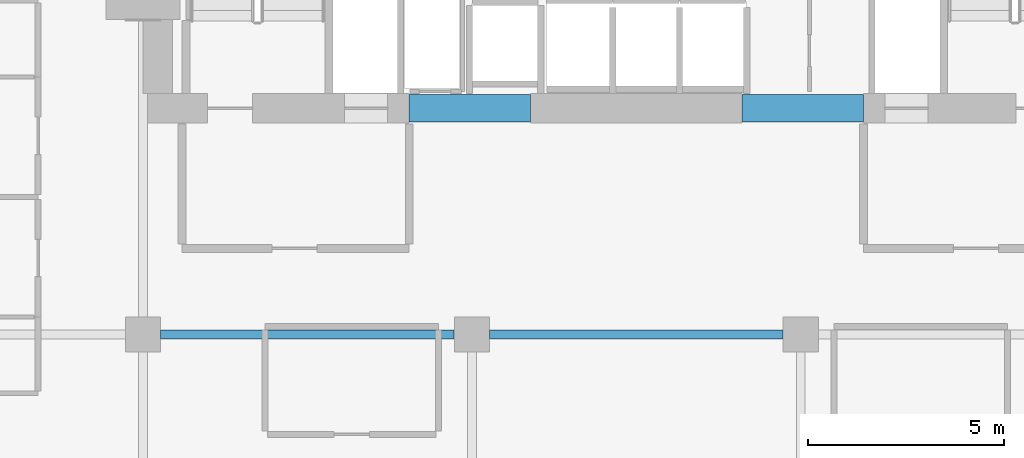
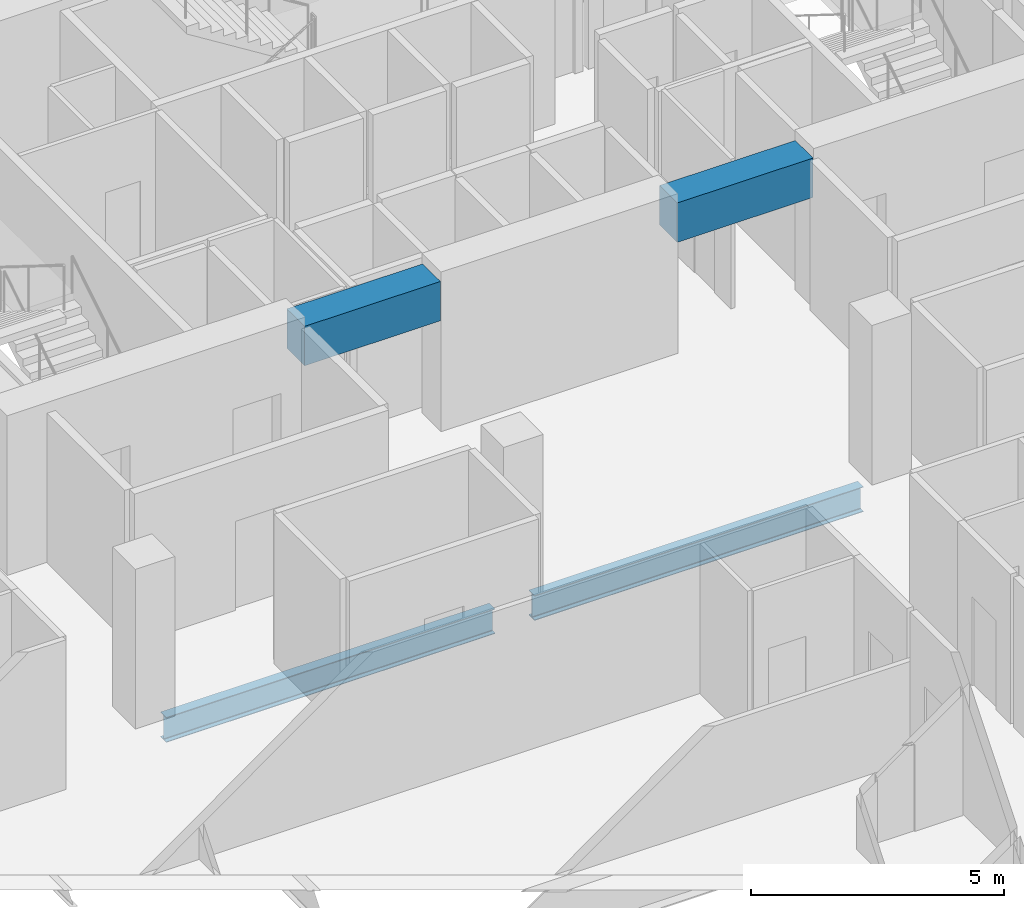
# One storey, part 21 of 34: 4 beams.
"""IFC4 building model written with IfcOpenShell, lengths in metres."""

import ifcopenshell
import ifcopenshell.guid

model = None  # the IFC model being written
_history = None  # IfcOwnerHistory: only IFC2X3 demands one
_inside = {}  # id of a spatial element -> (the spatial element, [elements in it])
_under = {}  # id of a project, library or spatial element -> (it, [spatial elements below it])
_declared = {}  # id of a project -> (the project, [libraries it declares])
_typed = {}  # id of a type object -> (the type object, [elements of that type])
_made_of = {}  # id of a material, layer set ... -> (it, [elements and type objects made of it])


def new_model(schema):
    """Start an empty IFC model of exactly this schema.

    Asked for "IFC4X3", IfcOpenShell would pick the latest addendum, in which some entities
    have other attributes; the version numbers below select the first issue.
    IFC2X3 requires an IfcOwnerHistory on every rooted entity: one is made here for all.
    """
    global model, _history
    if schema == "IFC4X3":
        model = ifcopenshell.file(schema_version=(4, 3, 0, 0))
    else:
        model = ifcopenshell.file(schema=schema)
    _inside.clear()
    _under.clear()
    _declared.clear()
    _typed.clear()
    _made_of.clear()
    _history = None
    if model.schema == "IFC2X3":
        org = make("IfcOrganization", Name="unknown")
        user = make(
            "IfcPersonAndOrganization",
            ThePerson=make("IfcPerson", FamilyName="unknown"),
            TheOrganization=org,
        )
        app = make(
            "IfcApplication",
            ApplicationDeveloper=org,
            Version="unknown",
            ApplicationFullName="unknown",
            ApplicationIdentifier="unknown",
        )
        _history = make(
            "IfcOwnerHistory",
            OwningUser=user,
            OwningApplication=app,
            ChangeAction="ADDED",
            CreationDate=0,
        )
    return model


def make(cls, **values):
    """One entity of the class cls with the attributes given. An attribute that is None is left unset."""
    return model.create_entity(
        cls, **{name: value for name, value in values.items() if value is not None}
    )


def rooted(cls, **values):
    """An entity with a GlobalId (a new one), such as an element, a storey or a relation."""
    return make(cls, GlobalId=ifcopenshell.guid.new(), OwnerHistory=_history, **values)


def si_unit(unit_type, name, prefix=None):
    """IfcSIUnit, for example si_unit("LENGTHUNIT", "METRE", prefix="MILLI")."""
    return make("IfcSIUnit", UnitType=unit_type, Prefix=prefix, Name=name)


def assignment(units):
    """IfcUnitAssignment: the units of a project."""
    return None if units is None else make("IfcUnitAssignment", Units=units)


def point(xyz):
    """IfcCartesianPoint."""
    return None if xyz is None else make("IfcCartesianPoint", Coordinates=xyz)


def direction(xyz):
    """IfcDirection."""
    return None if xyz is None else make("IfcDirection", DirectionRatios=xyz)


def frame(location, z_axis=None, x_axis=None):
    """IfcAxis2Placement3D, a coordinate frame: its origin and axes. An axis left out is left unset."""
    return make(
        "IfcAxis2Placement3D",
        Location=point(location),
        Axis=direction(z_axis),
        RefDirection=direction(x_axis),
    )


def frame_2d(location, x_axis=None):
    """IfcAxis2Placement2D, a coordinate frame in the plane: its origin and x axis."""
    return make(
        "IfcAxis2Placement2D", Location=point(location), RefDirection=direction(x_axis)
    )


def origin():
    """The frame at (0, 0, 0) with its axes left unset."""
    return frame((0.0, 0.0, 0.0))


def origin_2d():
    """The frame at (0, 0) in the plane with its x axis left unset."""
    return frame_2d((0.0, 0.0))


def place(relative_to, where):
    """IfcLocalPlacement: puts the frame where relative to a parent placement (None: the world)."""
    return make(
        "IfcLocalPlacement", PlacementRelTo=relative_to, RelativePlacement=where
    )


def context(
    kind, dimensions, precision=None, world=None, true_north=None, identifier=None
):
    """IfcGeometricRepresentationContext, for example the 3D "Model" context."""
    return make(
        "IfcGeometricRepresentationContext",
        ContextIdentifier=identifier,
        ContextType=kind,
        CoordinateSpaceDimension=dimensions,
        Precision=precision,
        WorldCoordinateSystem=world,
        TrueNorth=true_north,
    )


def subcontext(parent, identifier, kind, view, scale=None):
    """IfcGeometricRepresentationSubContext, for example "Body" below "Model"."""
    return make(
        "IfcGeometricRepresentationSubContext",
        ContextIdentifier=identifier,
        ContextType=kind,
        ParentContext=parent,
        TargetScale=scale,
        TargetView=view,
    )


def project(units=None, contexts=None):
    """IfcProject with its units and contexts."""
    return rooted(
        "IfcProject",
        Name="project",
        RepresentationContexts=contexts,
        UnitsInContext=assignment(units),
    )


def spatial(cls, under=None, at=None, **own):
    """A site, building, storey or space (cls), placed at a placement, below another one or the project."""
    s = rooted(cls, ObjectPlacement=at, **own)
    if under is not None:
        _under.setdefault(under.id(), (under, []))[1].append(s)
    return s


def profile(cls, at=None, kind="AREA", **sizes):
    """A parametric profile (cls). Its sizes go by their IFC names, for example OverallWidth=200.0."""
    return make(cls, ProfileType=kind, Position=at, **sizes)


def rectangle(**sizes):
    """IfcRectangleProfileDef."""
    return profile("IfcRectangleProfileDef", **sizes)


def i_section(**sizes):
    """IfcIShapeProfileDef."""
    return profile("IfcIShapeProfileDef", **sizes)


def extrude(swept, where, along, depth):
    """IfcExtrudedAreaSolid: the profile swept, set in the frame where, extruded along a direction by depth."""
    return make(
        "IfcExtrudedAreaSolid",
        SweptArea=swept,
        Position=where,
        ExtrudedDirection=direction(along),
        Depth=depth,
    )


def shape(context_of_items, identifier, shape_type, items):
    """IfcShapeRepresentation: the items that make up one representation, for example the "Body"."""
    return make(
        "IfcShapeRepresentation",
        ContextOfItems=context_of_items,
        RepresentationIdentifier=identifier,
        RepresentationType=shape_type,
        Items=items,
    )


def material(Name=None, Category=None):
    """IfcMaterial."""
    return make("IfcMaterial", Name=Name, Category=Category)


def material_profile(
    of_material, cross_section, Name=None, Category=None, Priority=None
):
    """IfcMaterialProfile: a cross section and its material."""
    return make(
        "IfcMaterialProfile",
        Name=Name,
        Material=of_material,
        Profile=cross_section,
        Priority=Priority,
        Category=Category,
    )


def profile_set(profiles, Name=None, composite=None):
    """IfcMaterialProfileSet."""
    return make(
        "IfcMaterialProfileSet",
        Name=Name,
        MaterialProfiles=profiles,
        CompositeProfile=composite,
    )


def made_of(thing, what):
    """Note that an element or type object is made of a material, layer set ...; save() writes the relation."""
    if what is not None:
        _made_of.setdefault(what.id(), (what, []))[1].append(thing)
    return thing


def type_object(cls, material=None, **own):
    """A type object (cls), such as IfcWallType, which elements share."""
    return made_of(rooted(cls, **own), material)


def element(
    cls,
    number,
    at=None,
    inside=None,
    cuts=None,
    type_object=None,
    material=None,
    context=None,
    identifier="Body",
    shape_type=None,
    held_by="IfcProductDefinitionShape",
    body=None,
    shapes=None,
    **own,
):
    """One element of the class cls, such as IfcWall. Its Tag is "e" and its number.

    at: its placement. inside: the storey or other place that contains it. cuts: it is an
    opening in that element (IfcRelVoidsElement). A single representation is given by context,
    identifier, shape_type and body (its items); several are given by shapes. held_by: the class
    of the entity that holds the representations. save() writes the other relations.
    """
    e = rooted(cls, Tag="e%d" % number, ObjectPlacement=at, **own)
    if body is not None:
        shapes = [shape(context, identifier, shape_type, body)]
    if shapes is not None:
        e.Representation = make(held_by, Representations=shapes)
    if inside is not None:
        _inside.setdefault(inside.id(), (inside, []))[1].append(e)
    if cuts is not None:
        rooted(
            "IfcRelVoidsElement", RelatingBuildingElement=cuts, RelatedOpeningElement=e
        )
    if type_object is not None:
        _typed.setdefault(type_object.id(), (type_object, []))[1].append(e)
    return made_of(e, material)


def aggregate(whole, parts):
    """IfcRelAggregates: a whole, such as a stair, and the parts it consists of."""
    return rooted("IfcRelAggregates", RelatingObject=whole, RelatedObjects=parts)


def save(model, path):
    """Write the relations noted so far, then the file.

    IfcRelAggregates (storeys below a building ...), IfcRelContainedInSpatialStructure (elements
    in a storey), IfcRelDefinesByType, IfcRelAssociatesMaterial and IfcRelDeclares: one each for
    every whole, place, type object, material and project.
    """
    for whole, parts in _under.values():
        aggregate(whole, parts)
    for where, things in _inside.values():
        rooted(
            "IfcRelContainedInSpatialStructure",
            RelatedElements=things,
            RelatingStructure=where,
        )
    for kind, things in _typed.values():
        rooted("IfcRelDefinesByType", RelatedObjects=things, RelatingType=kind)
    for what, things in _made_of.values():
        rooted("IfcRelAssociatesMaterial", RelatedObjects=things, RelatingMaterial=what)
    for by, libraries in _declared.values():
        rooted("IfcRelDeclares", RelatingContext=by, RelatedDefinitions=libraries)
    model.write(path)


model = new_model("IFC4")

# Units and contexts
model_context = context("Model", 3, precision=1e-05, world=origin(), true_north=direction((0.0, 1.0)))
body_context = subcontext(model_context, "Body", "Model", "MODEL_VIEW")
ifc_project = project(units=[si_unit("LENGTHUNIT", "METRE"), si_unit("AREAUNIT", "SQUARE_METRE"), si_unit("VOLUMEUNIT", "CUBIC_METRE"), si_unit("PLANEANGLEUNIT", "RADIAN"), si_unit("MASSUNIT", "GRAM", prefix="KILO")], contexts=[model_context])

# Site, building, storey
site_placement = place(None, origin())
site = spatial("IfcSite", under=ifc_project, at=site_placement, CompositionType="ELEMENT")
building_placement = place(site_placement, origin())
building = spatial("IfcBuilding", under=site, at=building_placement, Name="Maruvema Waterfront Hotel and Observation Tower", CompositionType="ELEMENT")
storey_placement = place(building_placement, frame((0.0, 0.0, 177.449951171875)))
storey = spatial("IfcBuildingStorey", under=building, at=storey_placement, Name="L43", CompositionType="ELEMENT", Elevation=177.449951171875)

# Beams
ifc_material_1 = material(Name="Concrete C60/75", Category="concrete")
ifc_material_profile_1 = material_profile(ifc_material_1, rectangle(XDim=0.699951171875, YDim=0.949951171875, at=origin_2d()), Name="CB700x950")
ifc_profile_set_1 = profile_set([ifc_material_profile_1], Name="Concrete C60/75")
beam_type_1 = type_object("IfcBeamType", Name="Core Coupling Lintel Beam CB700x950", PredefinedType="LINTEL", material=ifc_profile_set_1)
for number, where, z_axis, x_axis, name in (
    (1, (32.0, 41.77490234375, 3.135009765625), (1.0, 0.0, 0.0), (0.0, 1.0, 0.0), "L43 Core Coupling Lintel Beam West"),
    (2, (40.5, 41.77490234375, 3.135009765625), (1.0, 0.0, 0.0), (0.0, 1.0, 0.0), "L43 Core Coupling Lintel Beam East"),
):
    element("IfcBeam", number, at=place(storey_placement, frame(where, z_axis=z_axis, x_axis=x_axis)), inside=storey, type_object=beam_type_1, Name=name, PredefinedType="LINTEL", context=body_context, shape_type="SweptSolid", body=[
        extrude(rectangle(XDim=0.699951171875, YDim=0.949951171875, at=origin_2d()), origin(), (0.0, 0.0, 1.0), 3.10009765625),
    ])
ifc_material_2 = material(Name="Steel ASTM A572 Grade 50", Category="steel")
ifc_material_profile_2 = material_profile(ifc_material_2, i_section(OverallWidth=0.22802734375, OverallDepth=0.60302734375, WebThickness=0.010498046875, FlangeThickness=0.014892578125, FilletRadius=0.01806640625, at=origin_2d()), Name="W610x101.0")
ifc_profile_set_2 = profile_set([ifc_material_profile_2], Name="Steel ASTM A572 Grade 50")
beam_type_2 = type_object("IfcBeamType", Name="Primary Floor Girder W610x101.0", PredefinedType="BEAM", material=ifc_profile_set_2)
for number, where, z_axis, x_axis, name in (
    (3, (25.64990234375, 36.0, -0.54150390625), (1.0, 0.0, 0.0), (0.0, 1.0, 0.0), "L43 Floor Girder EW-25"),
    (4, (34.050048828125, 36.0, -0.54150390625), (1.0, 0.0, 0.0), (0.0, 1.0, 0.0), "L43 Floor Girder EW-26"),
):
    element("IfcBeam", number, at=place(storey_placement, frame(where, z_axis=z_axis, x_axis=x_axis)), inside=storey, type_object=beam_type_2, Name=name, PredefinedType="BEAM", context=body_context, shape_type="SweptSolid", body=[
        extrude(i_section(OverallWidth=0.22802734375, OverallDepth=0.60302734375, WebThickness=0.010498046875, FlangeThickness=0.014892578125, FilletRadius=0.01806640625, at=origin_2d()), origin(), (0.0, 0.0, 1.0), 7.5),
    ])

save(model, "model.ifc")
